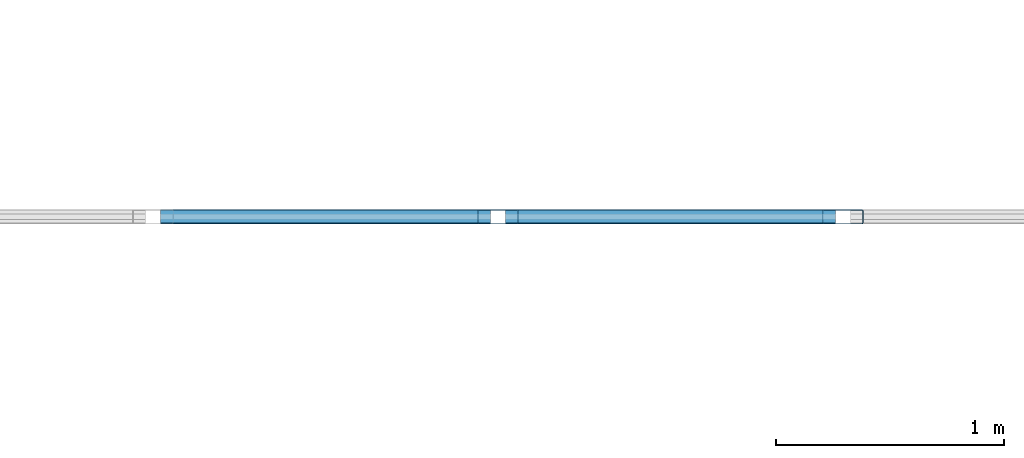
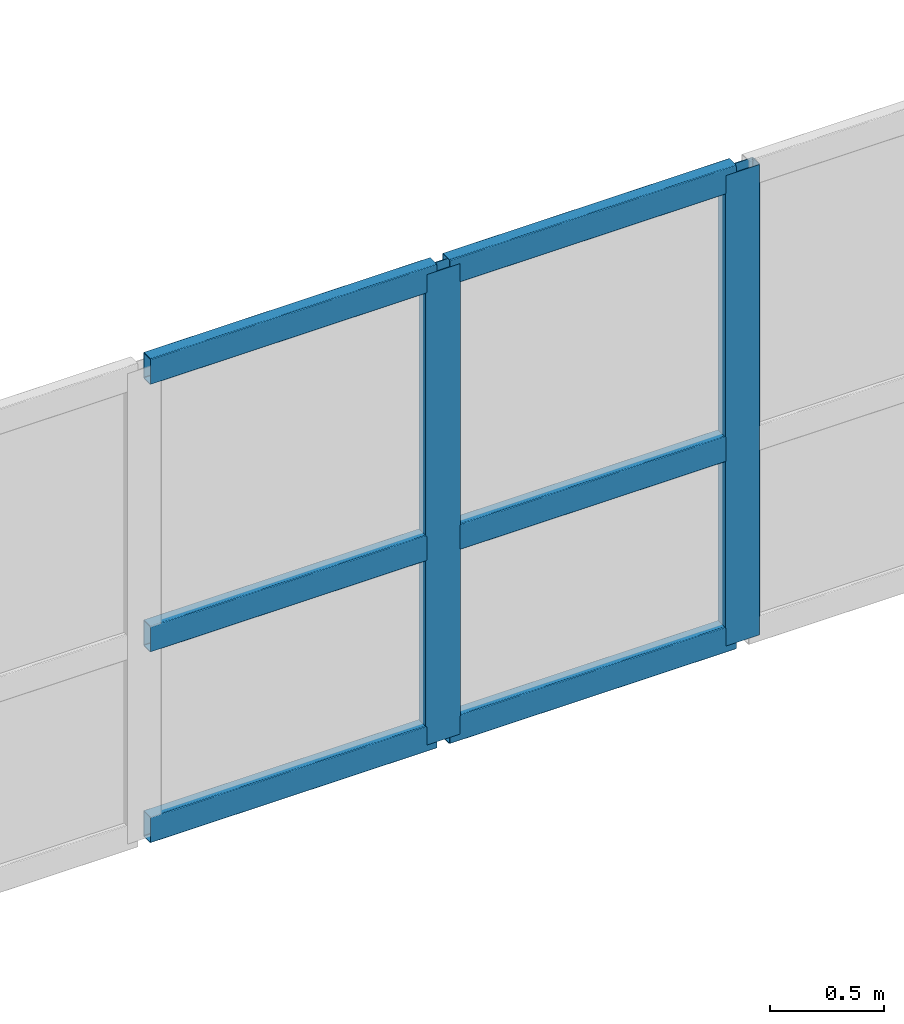
# One storey, part 12 of 177: 8 members, 1 element without a shape of its own.
"""IFC4 building model written with IfcOpenShell, lengths in metres."""

from ifc_helpers import new_model, si_unit, direction, frame, origin, origin_2d, place, context, subcontext, project, spatial, hollow_rectangle, extrude, material, layer, layer_set, material_profile, profile_set, type_object, element, aggregate, save


model = new_model("IFC4")

# Units and contexts
model_context = context("Model", 3, precision=1e-05, world=origin(), true_north=direction((0.0, 1.0)))
body_context = subcontext(model_context, "Body", "Model", "MODEL_VIEW")
ifc_project = project(units=[si_unit("LENGTHUNIT", "METRE"), si_unit("AREAUNIT", "SQUARE_METRE"), si_unit("VOLUMEUNIT", "CUBIC_METRE"), si_unit("PLANEANGLEUNIT", "RADIAN"), si_unit("MASSUNIT", "GRAM", prefix="KILO"), si_unit("THERMODYNAMICTEMPERATUREUNIT", "KELVIN"), si_unit("POWERUNIT", "WATT")], contexts=[model_context])

# Site, building, storey
site_placement = place(None, origin())
site = spatial("IfcSite", under=ifc_project, at=site_placement, CompositionType="ELEMENT")
building_placement = place(site_placement, origin())
building = spatial("IfcBuilding", under=site, at=building_placement, Name="Mavoryth Pier Ferry Terminal", CompositionType="ELEMENT")
storey_placement = place(building_placement, frame((0.0, 0.0, 5.43994140625)))
storey = spatial("IfcBuildingStorey", under=building, at=storey_placement, Name="L01", CompositionType="ELEMENT", Elevation=5.43994140625)

# Curtain wall, members
ifc_material_1 = material(Name="Anodised Aluminium and Solar-Control Low-E Glass", Category="aluminium")
ifc_layer = layer(ifc_material_1, 0.179931640625, Name="Anodised Aluminium and Solar-Control Low-E Glass", Category="aluminium")
ifc_layer_set = layer_set([ifc_layer], Name="Anodised Aluminium and Solar-Control Low-E Glass - CW-Concourse-Mod1400")
curtain_wall_type = type_object("IfcCurtainWallType", Name="CW-Concourse-Mod1400", PredefinedType="USERDEFINED", material=ifc_layer_set)
curtain_wall_placement = place(storey_placement, origin())
curtain_wall = element("IfcCurtainWall", 1, at=curtain_wall_placement, inside=storey, type_object=curtain_wall_type, Name="Curtain Wall CW-0133-048", ObjectType="UNITISED CURTAIN WALL", PredefinedType="USERDEFINED")
ifc_material_2 = material(Name="Anodised Aluminium EN AW-6063", Category="aluminium")
ifc_material_profile_1 = material_profile(ifc_material_2, hollow_rectangle(XDim=0.06494140625, YDim=0.179931640625, WallThickness=0.00390625, InnerFilletRadius=0.00390625, OuterFilletRadius=0.008056640625, at=origin_2d()), Name="AL-MULL 180x65x4", Category="aluminium")
ifc_profile_set_1 = profile_set([ifc_material_profile_1], Name="Anodised Aluminium EN AW-6063 - AL-MULL 180x65x4")
member_type_1 = type_object("IfcMemberType", Name="Mullion-Alum-180x65", PredefinedType="MULLION", material=ifc_profile_set_1)
member_1_placement = place(storey_placement, frame((30.205078125, 22.0, 0.0), z_axis=(0.0, 0.0, 1.0), x_axis=(0.0, 1.0, 0.0)))
member_1 = element("IfcMember", 2, at=member_1_placement, type_object=member_type_1, Name="CW01 mullion 4", PredefinedType="MULLION", context=body_context, shape_type="SweptSolid", body=[
    extrude(hollow_rectangle(XDim=0.06494140625, YDim=0.179931640625, WallThickness=0.00390625, InnerFilletRadius=0.00390625, OuterFilletRadius=0.008056640625, at=origin_2d()), origin(), (0.0, 0.0, 1.0), 2.510009765625),
])
member_2_placement = place(storey_placement, frame((31.715087890625, 22.0, 0.0), z_axis=(0.0, 0.0, 1.0), x_axis=(0.0, 1.0, 0.0)))
member_2 = element("IfcMember", 3, at=member_2_placement, type_object=member_type_1, Name="CW01 mullion 5", PredefinedType="MULLION", context=body_context, shape_type="SweptSolid", body=[
    extrude(hollow_rectangle(XDim=0.06494140625, YDim=0.179931640625, WallThickness=0.00390625, InnerFilletRadius=0.00390625, OuterFilletRadius=0.008056640625, at=origin_2d()), origin(), (0.0, 0.0, 1.0), 2.510009765625),
])
ifc_material_profile_2 = material_profile(ifc_material_2, hollow_rectangle(XDim=0.06494140625, YDim=0.139892578125, WallThickness=0.00390625, InnerFilletRadius=0.00390625, OuterFilletRadius=0.008056640625, at=origin_2d()), Name="AL-TRAN 140x65x4", Category="aluminium")
ifc_profile_set_2 = profile_set([ifc_material_profile_2], Name="Anodised Aluminium EN AW-6063 - AL-TRAN 140x65x4")
member_type_2 = type_object("IfcMemberType", Name="Transom-Alum-140x65", PredefinedType="USERDEFINED", material=ifc_profile_set_2)
member_3_placement = place(storey_placement, frame((28.7275390625, 22.0, 0.032470703125), z_axis=(1.0, 0.0, 0.0), x_axis=(0.0, 1.0, 0.0)))
member_3 = element("IfcMember", 4, at=member_3_placement, type_object=member_type_2, Name="CW01 transom 3.1", ObjectType="TRANSOM", PredefinedType="USERDEFINED", context=body_context, shape_type="SweptSolid", body=[
    extrude(hollow_rectangle(XDim=0.06494140625, YDim=0.139892578125, WallThickness=0.00390625, InnerFilletRadius=0.00390625, OuterFilletRadius=0.008056640625, at=origin_2d()), origin(), (0.0, 0.0, 1.0), 1.445068359375),
])
member_4_placement = place(storey_placement, frame((28.7275390625, 22.0, 1.050048828125), z_axis=(1.0, 0.0, 0.0), x_axis=(0.0, 1.0, 0.0)))
member_4 = element("IfcMember", 5, at=member_4_placement, type_object=member_type_2, Name="CW01 transom 3.2", ObjectType="TRANSOM", PredefinedType="USERDEFINED", context=body_context, shape_type="SweptSolid", body=[
    extrude(hollow_rectangle(XDim=0.06494140625, YDim=0.139892578125, WallThickness=0.00390625, InnerFilletRadius=0.00390625, OuterFilletRadius=0.008056640625, at=origin_2d()), origin(), (0.0, 0.0, 1.0), 1.445068359375),
])
member_5_placement = place(storey_placement, frame((28.7275390625, 22.0, 2.4775390625), z_axis=(1.0, 0.0, 0.0), x_axis=(0.0, 1.0, 0.0)))
member_5 = element("IfcMember", 6, at=member_5_placement, type_object=member_type_2, Name="CW01 transom 3.3", ObjectType="TRANSOM", PredefinedType="USERDEFINED", context=body_context, shape_type="SweptSolid", body=[
    extrude(hollow_rectangle(XDim=0.06494140625, YDim=0.139892578125, WallThickness=0.00390625, InnerFilletRadius=0.00390625, OuterFilletRadius=0.008056640625, at=origin_2d()), origin(), (0.0, 0.0, 1.0), 1.445068359375),
])
member_6_placement = place(storey_placement, frame((30.237548828125, 22.0, 0.032470703125), z_axis=(1.0, 0.0, 0.0), x_axis=(0.0, 1.0, 0.0)))
member_6 = element("IfcMember", 7, at=member_6_placement, type_object=member_type_2, Name="CW01 transom 4.1", ObjectType="TRANSOM", PredefinedType="USERDEFINED", context=body_context, shape_type="SweptSolid", body=[
    extrude(hollow_rectangle(XDim=0.06494140625, YDim=0.139892578125, WallThickness=0.00390625, InnerFilletRadius=0.00390625, OuterFilletRadius=0.008056640625, at=origin_2d()), origin(), (0.0, 0.0, 1.0), 1.445068359375),
])
member_7_placement = place(storey_placement, frame((30.237548828125, 22.0, 1.050048828125), z_axis=(1.0, 0.0, 0.0), x_axis=(0.0, 1.0, 0.0)))
member_7 = element("IfcMember", 8, at=member_7_placement, type_object=member_type_2, Name="CW01 transom 4.2", ObjectType="TRANSOM", PredefinedType="USERDEFINED", context=body_context, shape_type="SweptSolid", body=[
    extrude(hollow_rectangle(XDim=0.06494140625, YDim=0.139892578125, WallThickness=0.00390625, InnerFilletRadius=0.00390625, OuterFilletRadius=0.008056640625, at=origin_2d()), origin(), (0.0, 0.0, 1.0), 1.445068359375),
])
member_8_placement = place(storey_placement, frame((30.237548828125, 22.0, 2.4775390625), z_axis=(1.0, 0.0, 0.0), x_axis=(0.0, 1.0, 0.0)))
member_8 = element("IfcMember", 9, at=member_8_placement, type_object=member_type_2, Name="CW01 transom 4.3", ObjectType="TRANSOM", PredefinedType="USERDEFINED", context=body_context, shape_type="SweptSolid", body=[
    extrude(hollow_rectangle(XDim=0.06494140625, YDim=0.139892578125, WallThickness=0.00390625, InnerFilletRadius=0.00390625, OuterFilletRadius=0.008056640625, at=origin_2d()), origin(), (0.0, 0.0, 1.0), 1.445068359375),
])
aggregate(curtain_wall, [member_1, member_2, member_3, member_4, member_5, member_6, member_7, member_8])

save(model, "model.ifc")
